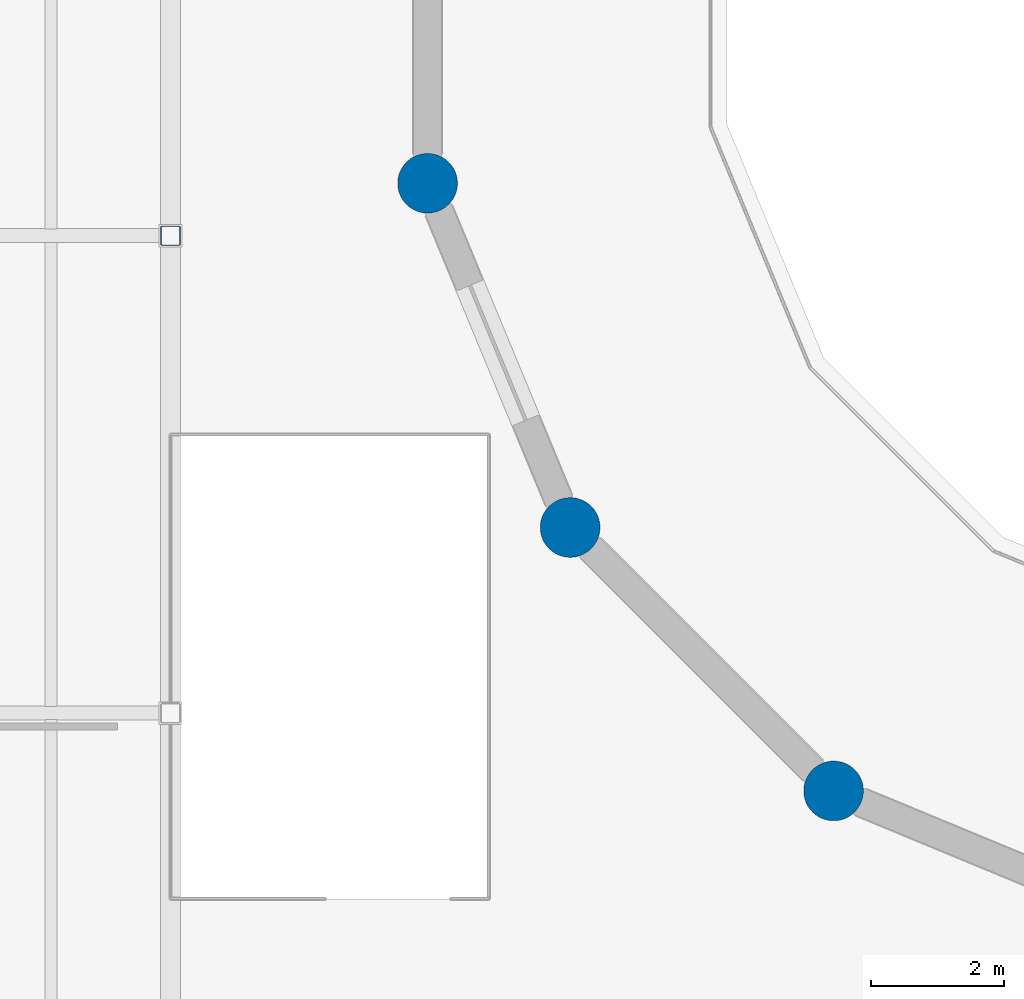
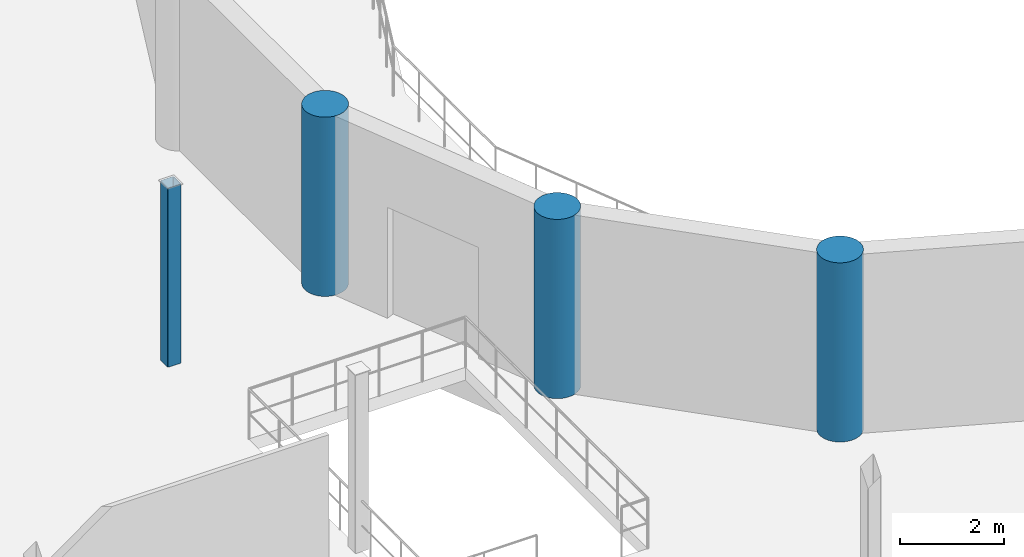
# One storey, part 4 of 72: 4 columns.
"""IFC4 building model written with IfcOpenShell, lengths in metres."""

from ifc_helpers import new_model, si_unit, direction, frame, origin, origin_2d, place, context, subcontext, project, spatial, hollow_rectangle, circle, extrude, material, material_profile, profile_set, type_object, element, save


model = new_model("IFC4")

# Units and contexts
model_context = context("Model", 3, precision=1e-05, world=origin(), true_north=direction((0.0, 1.0)))
body_context = subcontext(model_context, "Body", "Model", "MODEL_VIEW")
ifc_project = project(units=[si_unit("LENGTHUNIT", "METRE"), si_unit("AREAUNIT", "SQUARE_METRE"), si_unit("VOLUMEUNIT", "CUBIC_METRE"), si_unit("PLANEANGLEUNIT", "RADIAN"), si_unit("MASSUNIT", "GRAM", prefix="KILO")], contexts=[model_context])

# Site, building, storey
site_placement = place(None, origin())
site = spatial("IfcSite", under=ifc_project, at=site_placement, CompositionType="ELEMENT")
building_placement = place(site_placement, origin())
building = spatial("IfcBuilding", under=site, at=building_placement, Name="Qiaolan Assembly House", CompositionType="ELEMENT")
storey_placement = place(building_placement, frame((0.0, 0.0, 10.199951171875)))
storey = spatial("IfcBuildingStorey", under=building, at=storey_placement, Name="L02", CompositionType="ELEMENT", Elevation=10.199951171875)

# Columns
ifc_material_1 = material(Name="Concrete C50/60", Category="concrete")
ifc_material_profile_1 = material_profile(ifc_material_1, circle(Radius=0.449951171875, at=origin_2d()), Name="CIRC D900")
ifc_profile_set_1 = profile_set([ifc_material_profile_1], Name="Concrete C50/60")
column_type_1 = type_object("IfcColumnType", Name="COL-DRUM-D900", PredefinedType="COLUMN", material=ifc_profile_set_1)
for number, where, z_axis, x_axis, name in (
    (1, (54.276611328125, 58.390625, 0.0), (0.0, 0.0, 1.0), (1.0, 0.0, 0.0), "DC-03 chamber drum pier 9 L02"),
    (2, (56.4267578125, 53.19970703125, 0.0), (0.0, 0.0, 1.0), (1.0, 0.0, 0.0), "DC-03 chamber drum pier 10 L02"),
    (3, (60.39990234375, 49.226806640625, 0.0), (0.0, 0.0, 1.0), (1.0, 0.0, 0.0), "DC-03 chamber drum pier 11 L02"),
):
    element("IfcColumn", number, at=place(storey_placement, frame(where, z_axis=z_axis, x_axis=x_axis)), inside=storey, type_object=column_type_1, Name=name, PredefinedType="COLUMN", context=body_context, shape_type="SweptSolid", body=[
        extrude(circle(Radius=0.449951171875, at=origin_2d()), origin(), (0.0, 0.0, 1.0), 4.199951171875),
    ])
ifc_material_2 = material(Name="Steel Q355B", Category="steel")
ifc_material_profile_2 = material_profile(ifc_material_2, hollow_rectangle(XDim=0.300048828125, YDim=0.300048828125, WallThickness=0.011962890625, InnerFilletRadius=0.011962890625, OuterFilletRadius=0.02392578125, at=origin_2d()), Name="SHS 300x300x12")
ifc_profile_set_2 = profile_set([ifc_material_profile_2], Name="Steel Q355B")
column_type_2 = type_object("IfcColumnType", Name="COL-STL-SHS300", PredefinedType="COLUMN", material=ifc_profile_set_2)
column_placement = place(storey_placement, frame((50.39990234375, 57.60009765625, 0.0), z_axis=(0.0, 0.0, 1.0), x_axis=(1.0, 0.0, 0.0)))
element("IfcColumn", 4, at=column_placement, inside=storey, type_object=column_type_2, Name="SC-05 hall column L02", PredefinedType="COLUMN", context=body_context, shape_type="SweptSolid", body=[
    extrude(hollow_rectangle(XDim=0.300048828125, YDim=0.300048828125, WallThickness=0.011962890625, InnerFilletRadius=0.011962890625, OuterFilletRadius=0.02392578125, at=origin_2d()), origin(), (0.0, 0.0, 1.0), 4.199951171875),
])

save(model, "model.ifc")
